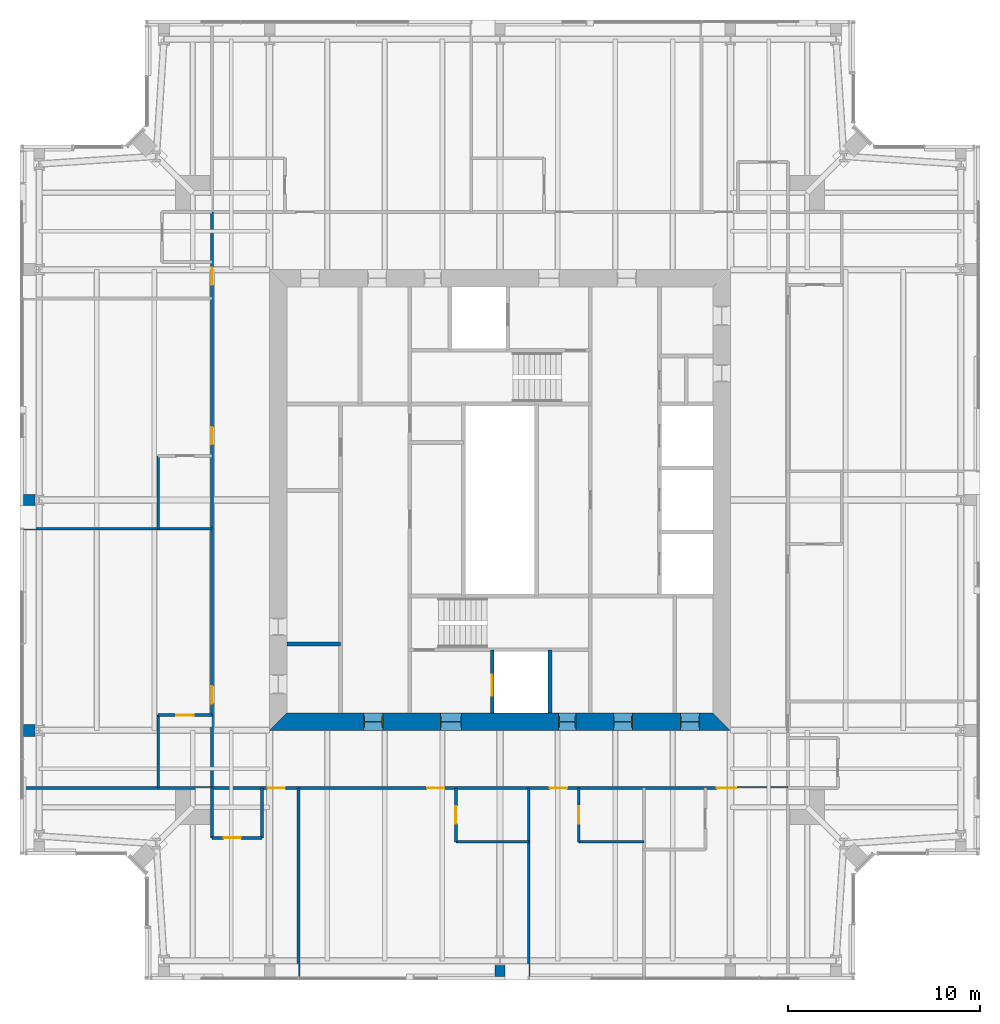
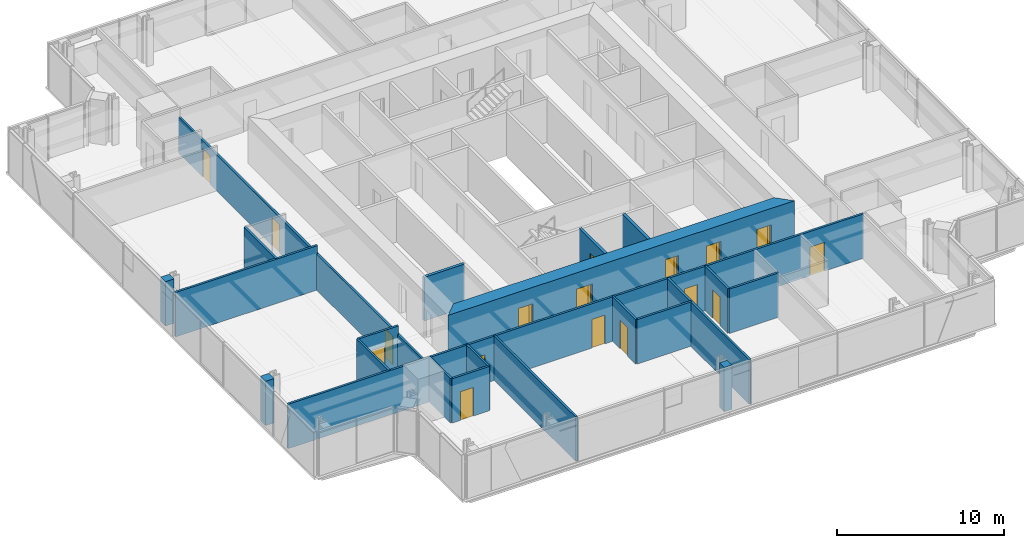
# One storey, part 11 of 20: 23 walls, 17 doors, 17 openings.
"""IFC4 building model written with IfcOpenShell, lengths in metres."""

from ifc_helpers import new_model, si_unit, direction, frame, frame_2d, origin, place, context, subcontext, project, spatial, polyline, rectangle, outline, extrude, material, layer, layer_set, type_object, element, fill, save


model = new_model("IFC4")

# Units and contexts
model_context = context("Model", 3, precision=1e-05, world=origin(), true_north=direction((0.0, 1.0)))
body_context = subcontext(model_context, "Body", "Model", "MODEL_VIEW")
ifc_project = project(units=[si_unit("LENGTHUNIT", "METRE"), si_unit("AREAUNIT", "SQUARE_METRE"), si_unit("VOLUMEUNIT", "CUBIC_METRE"), si_unit("PLANEANGLEUNIT", "RADIAN"), si_unit("MASSUNIT", "GRAM", prefix="KILO")], contexts=[model_context])

# Site, building, storey
site_placement = place(None, origin())
site = spatial("IfcSite", under=ifc_project, at=site_placement, CompositionType="ELEMENT")
building_placement = place(site_placement, origin())
building = spatial("IfcBuilding", under=site, at=building_placement, Name="Fenwick Lantern Interchange", CompositionType="ELEMENT")
storey_placement = place(building_placement, frame((0.0, 0.0, 279.800048828125)))
storey = spatial("IfcBuildingStorey", under=building, at=storey_placement, Name="L67", CompositionType="ELEMENT", Elevation=279.800048828125)

# Walls
ifc_material_1 = material(Name="Fire-rated gypsum board encasement on steel studs, 2 hour", Category="steel")
ifc_layer_1 = layer(ifc_material_1, 0.52392578125)
ifc_layer_set_1 = layer_set([ifc_layer_1], Name="COLUMN PIER 524")
wall_type_1 = type_object("IfcWallType", Name="COLUMN PIER 524", PredefinedType="PARTITIONING", material=ifc_layer_set_1)
wall_1_placement = place(storey_placement, frame((25.0, 0.18994140625, 0.0), z_axis=(0.0, 0.0, 1.0), x_axis=(0.0, 1.0, 0.0)))
element("IfcWall", 1, at=wall_1_placement, inside=storey, type_object=wall_type_1, Name="L67/W/PIER/CS3", PredefinedType="PARTITIONING", context=body_context, shape_type="SweptSolid", body=[
    extrude(rectangle(XDim=0.572509765625, YDim=0.52392578125, at=frame_2d((0.2861328125, 0.0))), origin(), (0.0, 0.0, 1.0), 3.25),
])
ifc_layer_2 = layer(ifc_material_1, 0.574951171875)
ifc_layer_set_2 = layer_set([ifc_layer_2], Name="COLUMN PIER 575")
wall_type_2 = type_object("IfcWallType", Name="COLUMN PIER 575", PredefinedType="PARTITIONING", material=ifc_layer_set_2)
wall_2_placement = place(storey_placement, frame((0.18994140625, 25.0, 0.0), z_axis=(0.0, 0.0, 1.0), x_axis=(1.0, 0.0, 0.0)))
element("IfcWall", 2, at=wall_2_placement, inside=storey, type_object=wall_type_2, Name="L67/W/PIER/CW3", PredefinedType="PARTITIONING", context=body_context, shape_type="SweptSolid", body=[
    extrude(rectangle(XDim=0.597900390625, YDim=0.574951171875, at=frame_2d((0.298828125, 0.0))), origin(), (0.0, 0.0, 1.0), 3.25),
])
ifc_layer_3 = layer(ifc_material_1, 0.631103515625)
ifc_layer_set_3 = layer_set([ifc_layer_3], Name="COLUMN PIER 631")
wall_type_3 = type_object("IfcWallType", Name="COLUMN PIER 631", PredefinedType="PARTITIONING", material=ifc_layer_set_3)
wall_3_placement = place(storey_placement, frame((0.18994140625, 13.0, 0.0), z_axis=(0.0, 0.0, 1.0), x_axis=(1.0, 0.0, 0.0)))
element("IfcWall", 3, at=wall_3_placement, inside=storey, type_object=wall_type_3, Name="L67/W/PIER/CW4", PredefinedType="PARTITIONING", context=body_context, shape_type="SweptSolid", body=[
    extrude(rectangle(XDim=0.589111328125, YDim=0.631103515625, at=frame_2d((0.29443359375, 0.0))), origin(), (0.0, 0.0, 1.0), 3.25),
])

# Wall, opening, door
ifc_material_2 = material(Name="Concrete masonry ASTM C90 Grade N", Category="masonry")
ifc_layer_4 = layer(ifc_material_2, 0.199951171875)
ifc_layer_set_4 = layer_set([ifc_layer_4], Name="Concrete masonry ASTM C90 Grade N")
wall_type_4 = type_object("IfcWallType", Name="CORE PARTITION 200", PredefinedType="PARTITIONING", material=ifc_layer_set_4)
wall_4_placement = place(storey_placement, frame((24.60009765625, 13.89990234375, 0.0), z_axis=(0.0, 0.0, 1.0), x_axis=(0.0, 1.0, 0.0)))
wall_4 = element("IfcWall", 4, at=wall_4_placement, inside=storey, type_object=wall_type_4, Name="L67/W/CORES/h1", PredefinedType="PARTITIONING", context=body_context, shape_type="SweptSolid", body=[
    extrude(rectangle(XDim=3.300048828125, YDim=0.199951171875, at=frame_2d((1.64990234375, 0.0))), origin(), (0.0, 0.0, 1.0), 3.199951171875),
])
opening_1_placement = place(wall_4_placement, frame((0.89990234375, 0.0, 0.0)))
opening_1 = element("IfcOpeningElement", 5, at=opening_1_placement, cuts=wall_4, Name="Opening LD-FL1", PredefinedType="OPENING", context=body_context, shape_type="SweptSolid", body=[
    extrude(rectangle(XDim=1.10009765625, YDim=2.199951171875, at=frame_2d((0.550048828125, 1.10009765625))), frame((0.0, 0.10986328125, 0.0), z_axis=(0.0, -1.0, 0.0), x_axis=(1.0, 0.0, 0.0)), (0.0, 0.0, 1.0), 0.219970703125),
])
ifc_material_3 = material(Name="Steel door and frame", Category="steel")
door_type_1 = type_object("IfcDoorType", Name="LIFT LANDING DOOR 1100 X 2200", OperationType="DOUBLE_DOOR_SLIDING", PredefinedType="DOOR", material=ifc_material_3)
door_1_placement = place(opening_1_placement, origin())
door_1 = element("IfcDoor", 6, at=door_1_placement, inside=storey, type_object=door_type_1, Name="Lift landing door FL1", OperationType="DOUBLE_DOOR_SLIDING", OverallHeight=2.199951171875, OverallWidth=1.10009765625, PredefinedType="DOOR", context=body_context, shape_type="SweptSolid", body=[
    extrude(rectangle(XDim=1.10009765625, YDim=2.199951171875, at=frame_2d((0.550048828125, 1.10009765625))), frame((0.0, 0.02490234375, 0.0), z_axis=(0.0, -1.0, 0.0), x_axis=(1.0, 0.0, 0.0)), (0.0, 0.0, 1.0), 0.050048828125),
])
fill(opening_1, door_1)

# Walls
wall_5_placement = place(storey_placement, frame((27.60009765625, 13.89990234375, 0.0), z_axis=(0.0, 0.0, 1.0), x_axis=(0.0, 1.0, 0.0)))
element("IfcWall", 7, at=wall_5_placement, inside=storey, type_object=wall_type_4, Name="L67/W/CORES/h2", PredefinedType="PARTITIONING", context=body_context, shape_type="SweptSolid", body=[
    extrude(rectangle(XDim=3.300048828125, YDim=0.199951171875, at=frame_2d((1.64990234375, 0.0))), origin(), (0.0, 0.0, 1.0), 3.199951171875),
])
wall_6_placement = place(storey_placement, frame((13.89990234375, 17.5, 0.0), z_axis=(0.0, 0.0, 1.0), x_axis=(1.0, 0.0, 0.0)))
element("IfcWall", 8, at=wall_6_placement, inside=storey, type_object=wall_type_4, Name="L67/W/CORES/p1", PredefinedType="PARTITIONING", context=body_context, shape_type="SweptSolid", body=[
    extrude(rectangle(XDim=2.800048828125, YDim=0.199951171875, at=frame_2d((1.39990234375, 0.0))), origin(), (0.0, 0.0, 1.0), 3.199951171875),
])

# Wall, openings, doors
ifc_material_4 = material(Name="Concrete f'c 70 MPa", Category="concrete")
ifc_layer_5 = layer(ifc_material_4, 0.89990234375)
ifc_layer_set_5 = layer_set([ifc_layer_5], Name="CORE WALL 900")
wall_type_5 = type_object("IfcWallType", Name="CORE WALL 900", PredefinedType="SHEAR", material=ifc_layer_set_5)
wall_7_placement = place(storey_placement, frame((13.0, 13.449951171875, 0.0), z_axis=(0.0, 0.0, 1.0), x_axis=(1.0, 0.0, 0.0)))
wall_7 = element("IfcWall", 9, at=wall_7_placement, inside=storey, type_object=wall_type_5, Name="L67/CORE/S", PredefinedType="SHEAR", context=body_context, shape_type="SweptSolid", body=[
    extrude(outline(polyline([(0.0, -0.449951171875), (24.0, -0.449951171875), (23.10009765625, 0.449951171875), (0.89990234375, 0.449951171875), (0.0, -0.449951171875)])), origin(), (0.0, 0.0, 1.0), 3.39990234375),
])
opening_2_placement = place(wall_7_placement, frame((4.89990234375, 0.0, 0.0)))
opening_2 = element("IfcOpeningElement", 10, at=opening_2_placement, cuts=wall_7, Name="Opening L67-D001", PredefinedType="OPENING", context=body_context, shape_type="SweptSolid", body=[
    extrude(rectangle(XDim=1.0, YDim=2.199951171875, at=frame_2d((0.5, 1.10009765625))), frame((0.0, 0.4599609375, 0.0), z_axis=(0.0, -1.0, 0.0), x_axis=(1.0, 0.0, 0.0)), (0.0, 0.0, 1.0), 0.919921875),
])
opening_3_placement = place(wall_7_placement, frame((8.89990234375, 0.0, 0.0)))
opening_3 = element("IfcOpeningElement", 11, at=opening_3_placement, cuts=wall_7, Name="Opening L67-D002", PredefinedType="OPENING", context=body_context, shape_type="SweptSolid", body=[
    extrude(rectangle(XDim=1.10009765625, YDim=2.199951171875, at=frame_2d((0.550048828125, 1.10009765625))), frame((0.0, 0.4599609375, 0.0), z_axis=(0.0, -1.0, 0.0), x_axis=(1.0, 0.0, 0.0)), (0.0, 0.0, 1.0), 0.919921875),
])
opening_4_placement = place(wall_7_placement, frame((15.050048828125, 0.0, 0.0)))
opening_4 = element("IfcOpeningElement", 12, at=opening_4_placement, cuts=wall_7, Name="Opening L67-D004", PredefinedType="OPENING", context=body_context, shape_type="SweptSolid", body=[
    extrude(rectangle(XDim=0.89990234375, YDim=2.199951171875, at=frame_2d((0.449951171875, 1.10009765625))), frame((0.0, 0.4599609375, 0.0), z_axis=(0.0, -1.0, 0.0), x_axis=(1.0, 0.0, 0.0)), (0.0, 0.0, 1.0), 0.919921875),
])
opening_5_placement = place(wall_7_placement, frame((17.89990234375, 0.0, 0.0)))
opening_5 = element("IfcOpeningElement", 13, at=opening_5_placement, cuts=wall_7, Name="Opening L67-D005", PredefinedType="OPENING", context=body_context, shape_type="SweptSolid", body=[
    extrude(rectangle(XDim=1.0, YDim=2.199951171875, at=frame_2d((0.5, 1.10009765625))), frame((0.0, 0.4599609375, 0.0), z_axis=(0.0, -1.0, 0.0), x_axis=(1.0, 0.0, 0.0)), (0.0, 0.0, 1.0), 0.919921875),
])
opening_6_placement = place(wall_7_placement, frame((21.39990234375, 0.0, 0.0)))
opening_6 = element("IfcOpeningElement", 14, at=opening_6_placement, cuts=wall_7, Name="Opening L67-D006", PredefinedType="OPENING", context=body_context, shape_type="SweptSolid", body=[
    extrude(rectangle(XDim=1.0, YDim=2.199951171875, at=frame_2d((0.5, 1.10009765625))), frame((0.0, 0.4599609375, 0.0), z_axis=(0.0, -1.0, 0.0), x_axis=(1.0, 0.0, 0.0)), (0.0, 0.0, 1.0), 0.919921875),
])
door_type_2 = type_object("IfcDoorType", Name="CORE LOBBY DOOR 1000 X 2200", OperationType="SINGLE_SWING_LEFT", PredefinedType="DOOR", material=ifc_material_3)
door_2_placement = place(opening_2_placement, origin())
door_2 = element("IfcDoor", 15, at=door_2_placement, inside=storey, type_object=door_type_2, Name="Core lobby door", OperationType="SINGLE_SWING_LEFT", OverallHeight=2.199951171875, OverallWidth=1.0, PredefinedType="DOOR", context=body_context, shape_type="SweptSolid", body=[
    extrude(rectangle(XDim=1.0, YDim=2.199951171875, at=frame_2d((0.5, 1.10009765625))), frame((0.0, 0.02490234375, 0.0), z_axis=(0.0, -1.0, 0.0), x_axis=(1.0, 0.0, 0.0)), (0.0, 0.0, 1.0), 0.050048828125),
    extrude(outline(polyline([(0.0, 0.0), (0.0400390625, 0.0), (0.0400390625, 2.159912109375), (0.9599609375, 2.159912109375), (0.9599609375, 0.0), (1.0, 0.0), (1.0, 2.199951171875), (0.0, 2.199951171875), (0.0, 0.0)])), frame((0.0, 0.300048828125, 0.0), z_axis=(0.0, -1.0, 0.0), x_axis=(1.0, 0.0, 0.0)), (0.0, 0.0, 1.0), 0.60009765625),
])
fill(opening_2, door_2)
door_type_3 = type_object("IfcDoorType", Name="FIRE LOBBY DOOR 1100 X 2200", OperationType="SINGLE_SWING_LEFT", PredefinedType="DOOR", material=ifc_material_3)
door_3_placement = place(opening_3_placement, origin())
door_3 = element("IfcDoor", 16, at=door_3_placement, inside=storey, type_object=door_type_3, Name="Fire lobby door", OperationType="SINGLE_SWING_LEFT", OverallHeight=2.199951171875, OverallWidth=1.10009765625, PredefinedType="DOOR", context=body_context, shape_type="SweptSolid", body=[
    extrude(rectangle(XDim=1.10009765625, YDim=2.199951171875, at=frame_2d((0.550048828125, 1.10009765625))), frame((0.0, 0.02490234375, 0.0), z_axis=(0.0, -1.0, 0.0), x_axis=(1.0, 0.0, 0.0)), (0.0, 0.0, 1.0), 0.050048828125),
    extrude(outline(polyline([(0.0, 0.0), (0.0400390625, 0.0), (0.0400390625, 2.159912109375), (1.06005859375, 2.159912109375), (1.06005859375, 0.0), (1.10009765625, 0.0), (1.10009765625, 2.199951171875), (0.0, 2.199951171875), (0.0, 0.0)])), frame((0.0, 0.300048828125, 0.0), z_axis=(0.0, -1.0, 0.0), x_axis=(1.0, 0.0, 0.0)), (0.0, 0.0, 1.0), 0.60009765625),
])
fill(opening_3, door_3)
door_type_4 = type_object("IfcDoorType", Name="SERVICE DOOR 900 X 2200", OperationType="SINGLE_SWING_LEFT", PredefinedType="DOOR", material=ifc_material_3)
door_4_placement = place(opening_4_placement, origin())
door_4 = element("IfcDoor", 17, at=door_4_placement, inside=storey, type_object=door_type_4, Name="Service door", OperationType="SINGLE_SWING_LEFT", OverallHeight=2.199951171875, OverallWidth=0.89990234375, PredefinedType="DOOR", context=body_context, shape_type="SweptSolid", body=[
    extrude(rectangle(XDim=0.89990234375, YDim=2.199951171875, at=frame_2d((0.449951171875, 1.10009765625))), frame((0.0, 0.02490234375, 0.0), z_axis=(0.0, -1.0, 0.0), x_axis=(1.0, 0.0, 0.0)), (0.0, 0.0, 1.0), 0.050048828125),
    extrude(outline(polyline([(0.0, 0.0), (0.0400390625, 0.0), (0.0400390625, 2.159912109375), (0.85986328125, 2.159912109375), (0.85986328125, 0.0), (0.89990234375, 0.0), (0.89990234375, 2.199951171875), (0.0, 2.199951171875), (0.0, 0.0)])), frame((0.0, 0.300048828125, 0.0), z_axis=(0.0, -1.0, 0.0), x_axis=(1.0, 0.0, 0.0)), (0.0, 0.0, 1.0), 0.60009765625),
])
fill(opening_4, door_4)
ifc_material_5 = material(Name="Hardwood door and steel frame", Category="steel")
door_type_5 = type_object("IfcDoorType", Name="WC DOOR 1000 X 2200", OperationType="SINGLE_SWING_LEFT", PredefinedType="DOOR", material=ifc_material_5)
door_5_placement = place(opening_5_placement, origin())
door_5 = element("IfcDoor", 18, at=door_5_placement, inside=storey, type_object=door_type_5, Name="Wc door", OperationType="SINGLE_SWING_LEFT", OverallHeight=2.199951171875, OverallWidth=1.0, PredefinedType="DOOR", context=body_context, shape_type="SweptSolid", body=[
    extrude(rectangle(XDim=1.0, YDim=2.199951171875, at=frame_2d((0.5, 1.10009765625))), frame((0.0, 0.02490234375, 0.0), z_axis=(0.0, -1.0, 0.0), x_axis=(1.0, 0.0, 0.0)), (0.0, 0.0, 1.0), 0.050048828125),
    extrude(outline(polyline([(0.0, 0.0), (0.0400390625, 0.0), (0.0400390625, 2.159912109375), (0.9599609375, 2.159912109375), (0.9599609375, 0.0), (1.0, 0.0), (1.0, 2.199951171875), (0.0, 2.199951171875), (0.0, 0.0)])), frame((0.0, 0.300048828125, 0.0), z_axis=(0.0, -1.0, 0.0), x_axis=(1.0, 0.0, 0.0)), (0.0, 0.0, 1.0), 0.60009765625),
])
fill(opening_5, door_5)
door_6_placement = place(opening_6_placement, origin())
door_6 = element("IfcDoor", 19, at=door_6_placement, inside=storey, type_object=door_type_5, Name="Wc door", OperationType="SINGLE_SWING_LEFT", OverallHeight=2.199951171875, OverallWidth=1.0, PredefinedType="DOOR", context=body_context, shape_type="SweptSolid", body=[
    extrude(rectangle(XDim=1.0, YDim=2.199951171875, at=frame_2d((0.5, 1.10009765625))), frame((0.0, 0.02490234375, 0.0), z_axis=(0.0, -1.0, 0.0), x_axis=(1.0, 0.0, 0.0)), (0.0, 0.0, 1.0), 0.050048828125),
    extrude(outline(polyline([(0.0, 0.0), (0.0400390625, 0.0), (0.0400390625, 2.159912109375), (0.9599609375, 2.159912109375), (0.9599609375, 0.0), (1.0, 0.0), (1.0, 2.199951171875), (0.0, 2.199951171875), (0.0, 0.0)])), frame((0.0, 0.300048828125, 0.0), z_axis=(0.0, -1.0, 0.0), x_axis=(1.0, 0.0, 0.0)), (0.0, 0.0, 1.0), 0.60009765625),
])
fill(opening_6, door_6)

ifc_material_6 = material(Name="Gypsum board on steel studs, 1 hour", Category="steel")
ifc_layer_6 = layer(ifc_material_6, 0.14990234375)
ifc_layer_set_6 = layer_set([ifc_layer_6], Name="CORRIDOR WALL 150")
wall_type_6 = type_object("IfcWallType", Name="CORRIDOR WALL 150", PredefinedType="PARTITIONING", material=ifc_layer_set_6)
wall_8_placement = place(storey_placement, frame((10.0, 10.0, 0.0), z_axis=(0.0, 0.0, 1.0), x_axis=(1.0, 0.0, 0.0)))
wall_8 = element("IfcWall", 20, at=wall_8_placement, inside=storey, type_object=wall_type_6, Name="L67/W/HOTEL/S/CW", PredefinedType="PARTITIONING", context=body_context, shape_type="SweptSolid", body=[
    extrude(rectangle(XDim=30.0, YDim=0.14990234375, at=frame_2d((15.0, 0.0))), origin(), (0.0, 0.0, 1.0), 3.25),
])
opening_7_placement = place(wall_8_placement, frame((2.89990234375, 0.0, 0.0)))
opening_7 = element("IfcOpeningElement", 21, at=opening_7_placement, cuts=wall_8, Name="Opening L67-D022", PredefinedType="OPENING", context=body_context, shape_type="SweptSolid", body=[
    extrude(rectangle(XDim=0.89990234375, YDim=2.10009765625, at=frame_2d((0.449951171875, 1.050048828125))), frame((0.0, 0.0849609375, 0.0), z_axis=(0.0, -1.0, 0.0), x_axis=(1.0, 0.0, 0.0)), (0.0, 0.0, 1.0), 0.169921875),
])
opening_8_placement = place(wall_8_placement, frame((11.199951171875, 0.0, 0.0)))
opening_8 = element("IfcOpeningElement", 22, at=opening_8_placement, cuts=wall_8, Name="Opening L67-D025", PredefinedType="OPENING", context=body_context, shape_type="SweptSolid", body=[
    extrude(rectangle(XDim=0.89990234375, YDim=2.10009765625, at=frame_2d((0.449951171875, 1.050048828125))), frame((0.0, 0.0849609375, 0.0), z_axis=(0.0, -1.0, 0.0), x_axis=(1.0, 0.0, 0.0)), (0.0, 0.0, 1.0), 0.169921875),
])
opening_9_placement = place(wall_8_placement, frame((17.60009765625, 0.0, 0.0)))
opening_9 = element("IfcOpeningElement", 23, at=opening_9_placement, cuts=wall_8, Name="Opening L67-D027", PredefinedType="OPENING", context=body_context, shape_type="SweptSolid", body=[
    extrude(rectangle(XDim=0.89990234375, YDim=2.10009765625, at=frame_2d((0.449951171875, 1.050048828125))), frame((0.0, 0.0849609375, 0.0), z_axis=(0.0, -1.0, 0.0), x_axis=(1.0, 0.0, 0.0)), (0.0, 0.0, 1.0), 0.169921875),
])
opening_10_placement = place(wall_8_placement, frame((26.300048828125, 0.0, 0.0)))
opening_10 = element("IfcOpeningElement", 24, at=opening_10_placement, cuts=wall_8, Name="Opening L67-D029", PredefinedType="OPENING", context=body_context, shape_type="SweptSolid", body=[
    extrude(rectangle(XDim=1.0, YDim=2.10009765625, at=frame_2d((0.5, 1.050048828125))), frame((0.0, 0.0849609375, 0.0), z_axis=(0.0, -1.0, 0.0), x_axis=(1.0, 0.0, 0.0)), (0.0, 0.0, 1.0), 0.169921875),
])
door_type_6 = type_object("IfcDoorType", Name="GUEST ROOM DOOR 1000 X 2100", OperationType="SINGLE_SWING_LEFT", PredefinedType="DOOR", material=ifc_material_3)
door_7_placement = place(opening_10_placement, frame((1.0, 0.0, 0.0), z_axis=(0.0, 0.0, 1.0), x_axis=(-1.0, 0.0, 0.0)))
door_7 = element("IfcDoor", 25, at=door_7_placement, inside=storey, type_object=door_type_6, Name="Guest room door", OperationType="SINGLE_SWING_RIGHT", OverallHeight=2.10009765625, OverallWidth=1.0, PredefinedType="DOOR", context=body_context, shape_type="SweptSolid", body=[
    extrude(rectangle(XDim=1.0, YDim=2.10009765625, at=frame_2d((0.5, 1.050048828125))), frame((0.0, 0.02490234375, 0.0), z_axis=(0.0, -1.0, 0.0), x_axis=(1.0, 0.0, 0.0)), (0.0, 0.0, 1.0), 0.050048828125),
])
fill(opening_10, door_7)
door_type_7 = type_object("IfcDoorType", Name="GUEST ROOM DOOR 900 X 2100", OperationType="SINGLE_SWING_LEFT", PredefinedType="DOOR", material=ifc_material_3)
door_8_placement = place(opening_7_placement, frame((0.89990234375, 0.0, 0.0), z_axis=(0.0, 0.0, 1.0), x_axis=(-1.0, 0.0, 0.0)))
door_8 = element("IfcDoor", 26, at=door_8_placement, inside=storey, type_object=door_type_7, Name="Guest room door", OperationType="SINGLE_SWING_RIGHT", OverallHeight=2.10009765625, OverallWidth=0.89990234375, PredefinedType="DOOR", context=body_context, shape_type="SweptSolid", body=[
    extrude(rectangle(XDim=0.89990234375, YDim=2.10009765625, at=frame_2d((0.449951171875, 1.050048828125))), frame((0.0, 0.02490234375, 0.0), z_axis=(0.0, -1.0, 0.0), x_axis=(1.0, 0.0, 0.0)), (0.0, 0.0, 1.0), 0.050048828125),
])
fill(opening_7, door_8)
door_9_placement = place(opening_8_placement, frame((0.89990234375, 0.0, 0.0), z_axis=(0.0, 0.0, 1.0), x_axis=(-1.0, 0.0, 0.0)))
door_9 = element("IfcDoor", 27, at=door_9_placement, inside=storey, type_object=door_type_7, Name="Guest room door", OperationType="SINGLE_SWING_LEFT", OverallHeight=2.10009765625, OverallWidth=0.89990234375, PredefinedType="DOOR", context=body_context, shape_type="SweptSolid", body=[
    extrude(rectangle(XDim=0.89990234375, YDim=2.10009765625, at=frame_2d((0.449951171875, 1.050048828125))), frame((0.0, 0.02490234375, 0.0), z_axis=(0.0, -1.0, 0.0), x_axis=(1.0, 0.0, 0.0)), (0.0, 0.0, 1.0), 0.050048828125),
])
fill(opening_8, door_9)
door_10_placement = place(opening_9_placement, frame((0.89990234375, 0.0, 0.0), z_axis=(0.0, 0.0, 1.0), x_axis=(-1.0, 0.0, 0.0)))
door_10 = element("IfcDoor", 28, at=door_10_placement, inside=storey, type_object=door_type_7, Name="Guest room door", OperationType="SINGLE_SWING_LEFT", OverallHeight=2.10009765625, OverallWidth=0.89990234375, PredefinedType="DOOR", context=body_context, shape_type="SweptSolid", body=[
    extrude(rectangle(XDim=0.89990234375, YDim=2.10009765625, at=frame_2d((0.449951171875, 1.050048828125))), frame((0.0, 0.02490234375, 0.0), z_axis=(0.0, -1.0, 0.0), x_axis=(1.0, 0.0, 0.0)), (0.0, 0.0, 1.0), 0.050048828125),
])
fill(opening_9, door_10)

wall_9_placement = place(storey_placement, frame((10.0, 40.0, 0.0), z_axis=(0.0, 0.0, 1.0), x_axis=(0.0, -1.0, 0.0)))
wall_9 = element("IfcWall", 29, at=wall_9_placement, inside=storey, type_object=wall_type_6, Name="L67/W/HOTEL/W/CW", PredefinedType="PARTITIONING", context=body_context, shape_type="SweptSolid", body=[
    extrude(rectangle(XDim=30.0, YDim=0.14990234375, at=frame_2d((15.0, 0.0))), origin(), (0.0, 0.0, 1.0), 2.6376953125),
])
opening_11_placement = place(wall_9_placement, frame((2.89990234375, 0.0, 0.0)))
opening_11 = element("IfcOpeningElement", 30, at=opening_11_placement, cuts=wall_9, Name="Opening L67-D042", PredefinedType="OPENING", context=body_context, shape_type="SweptSolid", body=[
    extrude(rectangle(XDim=0.89990234375, YDim=2.10009765625, at=frame_2d((0.449951171875, 1.050048828125))), frame((0.0, 0.0849609375, 0.0), z_axis=(0.0, -1.0, 0.0), x_axis=(1.0, 0.0, 0.0)), (0.0, 0.0, 1.0), 0.169921875),
])
opening_12_placement = place(wall_9_placement, frame((11.199951171875, 0.0, 0.0)))
opening_12 = element("IfcOpeningElement", 31, at=opening_12_placement, cuts=wall_9, Name="Opening L67-D045", PredefinedType="OPENING", context=body_context, shape_type="SweptSolid", body=[
    extrude(rectangle(XDim=0.89990234375, YDim=2.10009765625, at=frame_2d((0.449951171875, 1.050048828125))), frame((0.0, 0.0849609375, 0.0), z_axis=(0.0, -1.0, 0.0), x_axis=(1.0, 0.0, 0.0)), (0.0, 0.0, 1.0), 0.169921875),
])
opening_13_placement = place(wall_9_placement, frame((24.699951171875, 0.0, 0.0)))
opening_13 = element("IfcOpeningElement", 32, at=opening_13_placement, cuts=wall_9, Name="Opening L67-D047", PredefinedType="OPENING", context=body_context, shape_type="SweptSolid", body=[
    extrude(rectangle(XDim=0.89990234375, YDim=2.10009765625, at=frame_2d((0.449951171875, 1.050048828125))), frame((0.0, 0.0849609375, 0.0), z_axis=(0.0, -1.0, 0.0), x_axis=(1.0, 0.0, 0.0)), (0.0, 0.0, 1.0), 0.169921875),
])
door_11_placement = place(opening_11_placement, frame((0.89990234375, 0.0, 0.0), z_axis=(0.0, 0.0, 1.0), x_axis=(-1.0, 0.0, 0.0)))
door_11 = element("IfcDoor", 33, at=door_11_placement, inside=storey, type_object=door_type_7, Name="Guest room door", OperationType="SINGLE_SWING_RIGHT", OverallHeight=2.10009765625, OverallWidth=0.89990234375, PredefinedType="DOOR", context=body_context, shape_type="SweptSolid", body=[
    extrude(rectangle(XDim=0.89990234375, YDim=2.10009765625, at=frame_2d((0.449951171875, 1.050048828125))), frame((0.0, 0.02490234375, 0.0), z_axis=(0.0, -1.0, 0.0), x_axis=(1.0, 0.0, 0.0)), (0.0, 0.0, 1.0), 0.050048828125),
])
fill(opening_11, door_11)
door_12_placement = place(opening_12_placement, frame((0.89990234375, 0.0, 0.0), z_axis=(0.0, 0.0, 1.0), x_axis=(-1.0, 0.0, 0.0)))
door_12 = element("IfcDoor", 34, at=door_12_placement, inside=storey, type_object=door_type_7, Name="Guest room door", OperationType="SINGLE_SWING_LEFT", OverallHeight=2.10009765625, OverallWidth=0.89990234375, PredefinedType="DOOR", context=body_context, shape_type="SweptSolid", body=[
    extrude(rectangle(XDim=0.89990234375, YDim=2.10009765625, at=frame_2d((0.449951171875, 1.050048828125))), frame((0.0, 0.02490234375, 0.0), z_axis=(0.0, -1.0, 0.0), x_axis=(1.0, 0.0, 0.0)), (0.0, 0.0, 1.0), 0.050048828125),
])
fill(opening_12, door_12)
door_13_placement = place(opening_13_placement, frame((0.89990234375, 0.0, 0.0), z_axis=(0.0, 0.0, 1.0), x_axis=(-1.0, 0.0, 0.0)))
door_13 = element("IfcDoor", 35, at=door_13_placement, inside=storey, type_object=door_type_7, Name="Guest room door", OperationType="SINGLE_SWING_LEFT", OverallHeight=2.10009765625, OverallWidth=0.89990234375, PredefinedType="DOOR", context=body_context, shape_type="SweptSolid", body=[
    extrude(rectangle(XDim=0.89990234375, YDim=2.10009765625, at=frame_2d((0.449951171875, 1.050048828125))), frame((0.0, 0.02490234375, 0.0), z_axis=(0.0, -1.0, 0.0), x_axis=(1.0, 0.0, 0.0)), (0.0, 0.0, 1.0), 0.050048828125),
])
fill(opening_13, door_13)

# Wall, opening, door
ifc_material_7 = material(Name="Gypsum board on steel studs, moisture resistant", Category="steel")
ifc_layer_7 = layer(ifc_material_7, 0.14990234375)
ifc_layer_set_7 = layer_set([ifc_layer_7], Name="EN-SUITE WALL 150")
wall_type_7 = type_object("IfcWallType", Name="EN-SUITE WALL 150", PredefinedType="PARTITIONING", material=ifc_layer_set_7)
wall_10_placement = place(storey_placement, frame((10.0, 7.39990234375, 0.0), z_axis=(0.0, 0.0, 1.0), x_axis=(1.0, 0.0, 0.0)))
wall_10 = element("IfcWall", 36, at=wall_10_placement, inside=storey, type_object=wall_type_7, Name="L67/W/HOTEL/S/U1BW", PredefinedType="PARTITIONING", context=body_context, shape_type="SweptSolid", body=[
    extrude(rectangle(XDim=2.60009765625, YDim=0.14990234375, at=frame_2d((1.300048828125, 0.0))), origin(), (0.0, 0.0, 1.0), 3.25),
])
opening_14_placement = place(wall_10_placement, frame((0.60009765625, 0.0, 0.0)))
opening_14 = element("IfcOpeningElement", 37, at=opening_14_placement, cuts=wall_10, Name="Opening L67-D023", PredefinedType="OPENING", context=body_context, shape_type="SweptSolid", body=[
    extrude(rectangle(XDim=0.89990234375, YDim=2.10009765625, at=frame_2d((0.449951171875, 1.050048828125))), frame((0.0, 0.0849609375, 0.0), z_axis=(0.0, -1.0, 0.0), x_axis=(1.0, 0.0, 0.0)), (0.0, 0.0, 1.0), 0.169921875),
])
door_type_8 = type_object("IfcDoorType", Name="EN-SUITE DOOR 900 X 2100", OperationType="SINGLE_SWING_LEFT", PredefinedType="DOOR", material=ifc_material_5)
door_14_placement = place(opening_14_placement, origin())
door_14 = element("IfcDoor", 38, at=door_14_placement, inside=storey, type_object=door_type_8, Name="En-suite door", OperationType="SINGLE_SWING_LEFT", OverallHeight=2.10009765625, OverallWidth=0.89990234375, PredefinedType="DOOR", context=body_context, shape_type="SweptSolid", body=[
    extrude(rectangle(XDim=0.89990234375, YDim=2.10009765625, at=frame_2d((0.449951171875, 1.050048828125))), frame((0.0, 0.02490234375, 0.0), z_axis=(0.0, -1.0, 0.0), x_axis=(1.0, 0.0, 0.0)), (0.0, 0.0, 1.0), 0.050048828125),
])
fill(opening_14, door_14)

# Walls
for number, where, z_axis, x_axis, name in (
    (39, (10.0, 7.39990234375, 0.0), (0.0, 0.0, 1.0), (0.0, 1.0, 0.0), "L67/W/HOTEL/S/U1BX"),
    (40, (12.60009765625, 7.39990234375, 0.0), (0.0, 0.0, 1.0), (0.0, 1.0, 0.0), "L67/W/HOTEL/S/U1BE"),
):
    element("IfcWall", number, at=place(storey_placement, frame(where, z_axis=z_axis, x_axis=x_axis)), inside=storey, type_object=wall_type_7, Name=name, PredefinedType="PARTITIONING", context=body_context, shape_type="SweptSolid", body=[
        extrude(rectangle(XDim=2.60009765625, YDim=0.14990234375, at=frame_2d((1.300048828125, 0.0))), origin(), (0.0, 0.0, 1.0), 3.25),
    ])
wall_11_placement = place(storey_placement, frame((22.699951171875, 7.199951171875, 0.0), z_axis=(0.0, 0.0, 1.0), x_axis=(1.0, 0.0, 0.0)))
element("IfcWall", 41, at=wall_11_placement, inside=storey, type_object=wall_type_7, Name="L67/W/HOTEL/S/U2BW", PredefinedType="PARTITIONING", context=body_context, shape_type="SweptSolid", body=[
    extrude(rectangle(XDim=3.800048828125, YDim=0.14990234375, at=frame_2d((1.89990234375, 0.0))), origin(), (0.0, 0.0, 1.0), 3.25),
])

# Wall, opening, door
wall_12_placement = place(storey_placement, frame((22.699951171875, 7.199951171875, 0.0), z_axis=(0.0, 0.0, 1.0), x_axis=(0.0, 1.0, 0.0)))
wall_12 = element("IfcWall", 42, at=wall_12_placement, inside=storey, type_object=wall_type_7, Name="L67/W/HOTEL/S/U2BX", PredefinedType="PARTITIONING", context=body_context, shape_type="SweptSolid", body=[
    extrude(rectangle(XDim=2.800048828125, YDim=0.14990234375, at=frame_2d((1.39990234375, 0.0))), origin(), (0.0, 0.0, 1.0), 3.25),
])
opening_15_placement = place(wall_12_placement, frame((0.949951171875, 0.0, 0.0)))
opening_15 = element("IfcOpeningElement", 43, at=opening_15_placement, cuts=wall_12, Name="Opening L67-D024", PredefinedType="OPENING", context=body_context, shape_type="SweptSolid", body=[
    extrude(rectangle(XDim=0.89990234375, YDim=2.10009765625, at=frame_2d((0.449951171875, 1.050048828125))), frame((0.0, 0.0849609375, 0.0), z_axis=(0.0, -1.0, 0.0), x_axis=(1.0, 0.0, 0.0)), (0.0, 0.0, 1.0), 0.169921875),
])
door_15_placement = place(opening_15_placement, frame((0.89990234375, 0.0, 0.0), z_axis=(0.0, 0.0, 1.0), x_axis=(-1.0, 0.0, 0.0)))
door_15 = element("IfcDoor", 44, at=door_15_placement, inside=storey, type_object=door_type_8, Name="En-suite door", OperationType="SINGLE_SWING_RIGHT", OverallHeight=2.10009765625, OverallWidth=0.89990234375, PredefinedType="DOOR", context=body_context, shape_type="SweptSolid", body=[
    extrude(rectangle(XDim=0.89990234375, YDim=2.10009765625, at=frame_2d((0.449951171875, 1.050048828125))), frame((0.0, 0.02490234375, 0.0), z_axis=(0.0, -1.0, 0.0), x_axis=(1.0, 0.0, 0.0)), (0.0, 0.0, 1.0), 0.050048828125),
])
fill(opening_15, door_15)

# Wall
wall_13_placement = place(storey_placement, frame((29.10009765625, 7.199951171875, 0.0), z_axis=(0.0, 0.0, 1.0), x_axis=(1.0, 0.0, 0.0)))
element("IfcWall", 45, at=wall_13_placement, inside=storey, type_object=wall_type_7, Name="L67/W/HOTEL/S/U3BW", PredefinedType="PARTITIONING", context=body_context, shape_type="SweptSolid", body=[
    extrude(rectangle(XDim=3.39990234375, YDim=0.14990234375, at=frame_2d((1.699951171875, 0.0))), origin(), (0.0, 0.0, 1.0), 3.25),
])

# Wall, opening, door
wall_14_placement = place(storey_placement, frame((29.10009765625, 7.199951171875, 0.0), z_axis=(0.0, 0.0, 1.0), x_axis=(0.0, 1.0, 0.0)))
wall_14 = element("IfcWall", 46, at=wall_14_placement, inside=storey, type_object=wall_type_7, Name="L67/W/HOTEL/S/U3BX", PredefinedType="PARTITIONING", context=body_context, shape_type="SweptSolid", body=[
    extrude(rectangle(XDim=2.800048828125, YDim=0.14990234375, at=frame_2d((1.39990234375, 0.0))), origin(), (0.0, 0.0, 1.0), 3.25),
])
opening_16_placement = place(wall_14_placement, frame((0.949951171875, 0.0, 0.0)))
opening_16 = element("IfcOpeningElement", 47, at=opening_16_placement, cuts=wall_14, Name="Opening L67-D026", PredefinedType="OPENING", context=body_context, shape_type="SweptSolid", body=[
    extrude(rectangle(XDim=0.89990234375, YDim=2.10009765625, at=frame_2d((0.449951171875, 1.050048828125))), frame((0.0, 0.0849609375, 0.0), z_axis=(0.0, -1.0, 0.0), x_axis=(1.0, 0.0, 0.0)), (0.0, 0.0, 1.0), 0.169921875),
])
door_16_placement = place(opening_16_placement, frame((0.89990234375, 0.0, 0.0), z_axis=(0.0, 0.0, 1.0), x_axis=(-1.0, 0.0, 0.0)))
door_16 = element("IfcDoor", 48, at=door_16_placement, inside=storey, type_object=door_type_8, Name="En-suite door", OperationType="SINGLE_SWING_RIGHT", OverallHeight=2.10009765625, OverallWidth=0.89990234375, PredefinedType="DOOR", context=body_context, shape_type="SweptSolid", body=[
    extrude(rectangle(XDim=0.89990234375, YDim=2.10009765625, at=frame_2d((0.449951171875, 1.050048828125))), frame((0.0, 0.02490234375, 0.0), z_axis=(0.0, -1.0, 0.0), x_axis=(1.0, 0.0, 0.0)), (0.0, 0.0, 1.0), 0.050048828125),
])
fill(opening_16, door_16)

# Walls
for number, where, z_axis, x_axis, name in (
    (49, (7.199951171875, 27.300048828125, 0.0), (0.0, 0.0, 1.0), (0.0, -1.0, 0.0), "L67/W/HOTEL/W/U2BW"),
    (50, (7.199951171875, 13.800048828125, 0.0), (0.0, 0.0, 1.0), (0.0, -1.0, 0.0), "L67/W/HOTEL/W/U3BW"),
):
    element("IfcWall", number, at=place(storey_placement, frame(where, z_axis=z_axis, x_axis=x_axis)), inside=storey, type_object=wall_type_7, Name=name, PredefinedType="PARTITIONING", context=body_context, shape_type="SweptSolid", body=[
        extrude(rectangle(XDim=3.800048828125, YDim=0.14990234375, at=frame_2d((1.89990234375, 0.0))), origin(), (0.0, 0.0, 1.0), 3.25),
    ])

# Wall, opening, door
wall_15_placement = place(storey_placement, frame((7.199951171875, 13.800048828125, 0.0), z_axis=(0.0, 0.0, 1.0), x_axis=(1.0, 0.0, 0.0)))
wall_15 = element("IfcWall", 51, at=wall_15_placement, inside=storey, type_object=wall_type_7, Name="L67/W/HOTEL/W/U3BX", PredefinedType="PARTITIONING", context=body_context, shape_type="SweptSolid", body=[
    extrude(rectangle(XDim=2.800048828125, YDim=0.14990234375, at=frame_2d((1.39990234375, 0.0))), origin(), (0.0, 0.0, 1.0), 3.25),
])
opening_17_placement = place(wall_15_placement, frame((0.949951171875, 0.0, 0.0)))
opening_17 = element("IfcOpeningElement", 52, at=opening_17_placement, cuts=wall_15, Name="Opening L67-D046", PredefinedType="OPENING", context=body_context, shape_type="SweptSolid", body=[
    extrude(rectangle(XDim=0.89990234375, YDim=2.10009765625, at=frame_2d((0.449951171875, 1.050048828125))), frame((0.0, 0.0849609375, 0.0), z_axis=(0.0, -1.0, 0.0), x_axis=(1.0, 0.0, 0.0)), (0.0, 0.0, 1.0), 0.169921875),
])
door_17_placement = place(opening_17_placement, frame((0.89990234375, 0.0, 0.0), z_axis=(0.0, 0.0, 1.0), x_axis=(-1.0, 0.0, 0.0)))
door_17 = element("IfcDoor", 53, at=door_17_placement, inside=storey, type_object=door_type_8, Name="En-suite door", OperationType="SINGLE_SWING_RIGHT", OverallHeight=2.10009765625, OverallWidth=0.89990234375, PredefinedType="DOOR", context=body_context, shape_type="SweptSolid", body=[
    extrude(rectangle(XDim=0.89990234375, YDim=2.10009765625, at=frame_2d((0.449951171875, 1.050048828125))), frame((0.0, 0.02490234375, 0.0), z_axis=(0.0, -1.0, 0.0), x_axis=(1.0, 0.0, 0.0)), (0.0, 0.0, 1.0), 0.050048828125),
])
fill(opening_17, door_17)

# Walls
ifc_material_8 = material(Name="Gypsum board on steel studs, 1 hour acoustic", Category="steel")
ifc_layer_8 = layer(ifc_material_8, 0.14990234375)
ifc_layer_set_8 = layer_set([ifc_layer_8], Name="PARTY WALL 150")
wall_type_8 = type_object("IfcWallType", Name="PARTY WALL 150", PredefinedType="PARTITIONING", material=ifc_layer_set_8)
for number, where, z_axis, x_axis, name in (
    (54, (0.14990234375, 10.0, 0.0), (0.0, 0.0, 1.0), (1.0, 0.0, 0.0), "L67/W/HOTEL/S/SW3"),
    (55, (14.5, 0.14990234375, 0.0), (0.0, 0.0, 1.0), (0.0, 1.0, 0.0), "L67/W/HOTEL/S/U2PW"),
    (56, (26.5, 0.14990234375, 0.0), (0.0, 0.0, 1.0), (0.0, 1.0, 0.0), "L67/W/HOTEL/S/U3PW"),
    (57, (0.14990234375, 23.5, 0.0), (0.0, 0.0, 1.0), (1.0, 0.0, 0.0), "L67/W/HOTEL/W/U3PW"),
):
    element("IfcWall", number, at=place(storey_placement, frame(where, z_axis=z_axis, x_axis=x_axis)), inside=storey, type_object=wall_type_8, Name=name, PredefinedType="PARTITIONING", context=body_context, shape_type="SweptSolid", body=[
        extrude(rectangle(XDim=9.85009765625, YDim=0.14990234375, at=frame_2d((4.925048828125, 0.0))), origin(), (0.0, 0.0, 1.0), 3.25),
    ])

save(model, "model.ifc")
